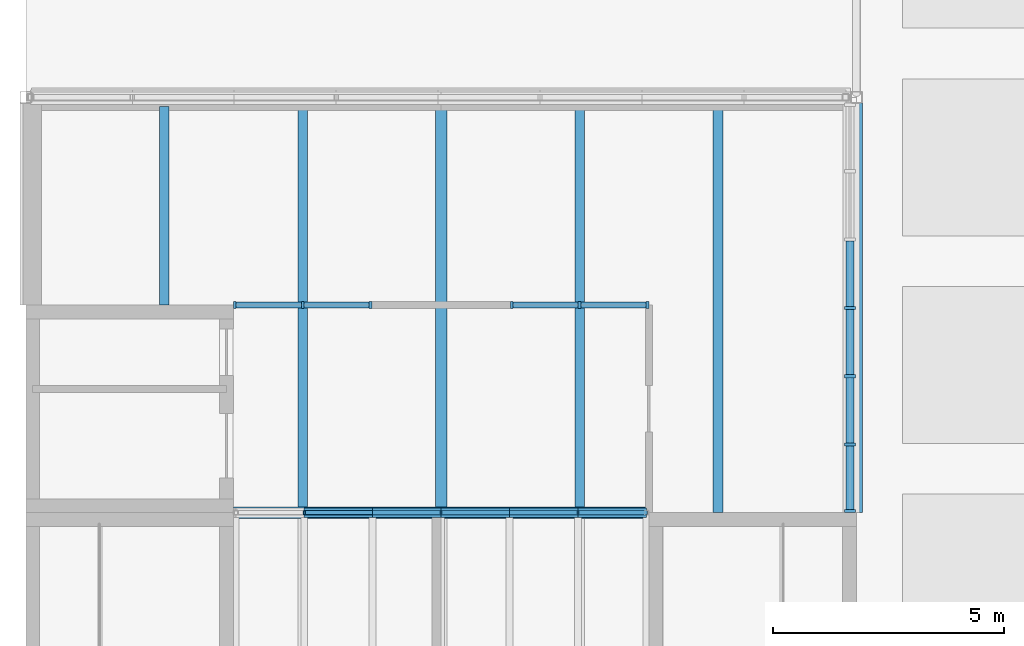
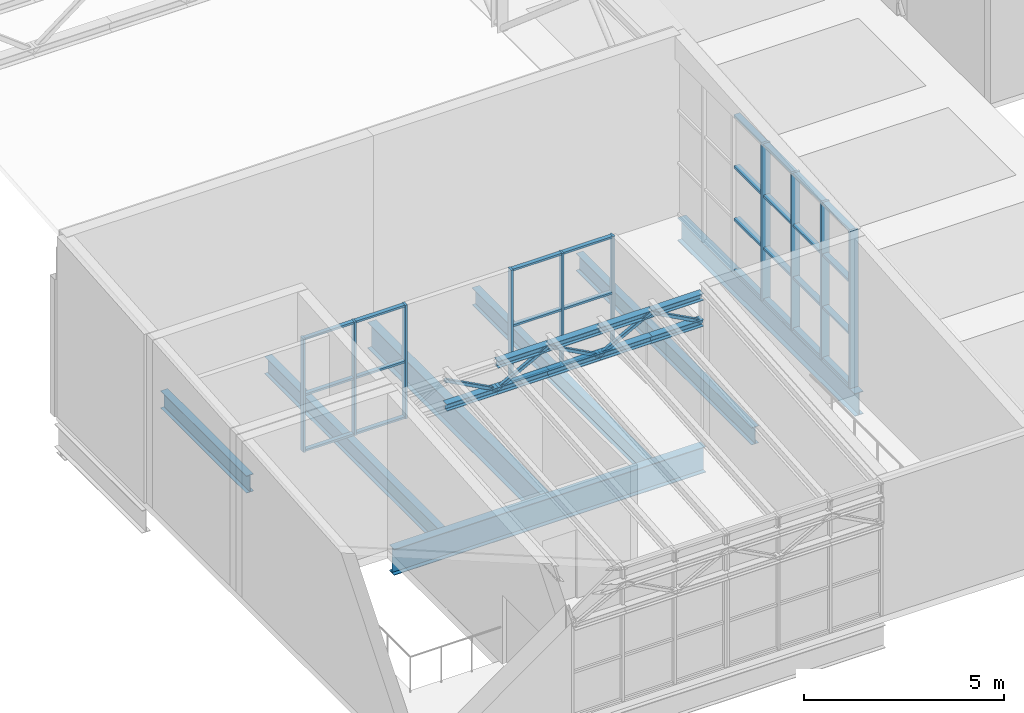
# One storey, part 9 of 61: 52 members, 7 beams, 3 elements without a shape of their own.
"""IFC4 building model written with IfcOpenShell, lengths in metres."""

from ifc_helpers import new_model, si_unit, direction, frame, origin, origin_2d, place, context, subcontext, project, spatial, rectangle, hollow_rectangle, i_section, extrude, material, layer, layer_set, material_profile, profile_set, type_object, element, aggregate, save


model = new_model("IFC4")

# Units and contexts
model_context = context("Model", 3, precision=1e-05, world=origin(), true_north=direction((0.0, 1.0)))
body_context = subcontext(model_context, "Body", "Model", "MODEL_VIEW")
ifc_project = project(units=[si_unit("LENGTHUNIT", "METRE"), si_unit("AREAUNIT", "SQUARE_METRE"), si_unit("VOLUMEUNIT", "CUBIC_METRE"), si_unit("PLANEANGLEUNIT", "RADIAN"), si_unit("MASSUNIT", "GRAM", prefix="KILO")], contexts=[model_context])

# Site, building, storey
site_placement = place(None, origin())
site = spatial("IfcSite", under=ifc_project, at=site_placement, CompositionType="ELEMENT")
building_placement = place(site_placement, origin())
building = spatial("IfcBuilding", under=site, at=building_placement, Name="Halyard Row Museum", CompositionType="ELEMENT")
storey_placement = place(building_placement, frame((0.0, 0.0, 9.199951171875)))
storey = spatial("IfcBuildingStorey", under=building, at=storey_placement, Name="L02", CompositionType="ELEMENT", Elevation=9.199951171875)

# Curtain wall, members
ifc_material_1 = material(Name="Acoustic laminated double glazed unit", Category="glass")
ifc_layer_1 = layer(ifc_material_1, 0.239990234375)
ifc_layer_set_1 = layer_set([ifc_layer_1], Name="Acoustic laminated double glazed unit")
curtain_wall_type_1 = type_object("IfcCurtainWallType", Name="Curtain wall foyer 240 deep", PredefinedType="NOTDEFINED", material=ifc_layer_set_1)
curtain_wall_1_placement = place(storey_placement, origin())
curtain_wall_1 = element("IfcCurtainWall", 1, at=curtain_wall_1_placement, inside=storey, type_object=curtain_wall_type_1, Name="Curtain wall CW043", PredefinedType="NOTDEFINED")
ifc_material_2 = material(Name="Powder-coated aluminium section", Category="aluminium")
ifc_material_profile_1 = material_profile(ifc_material_2, rectangle(XDim=0.239990234375, YDim=0.070068359375, at=origin_2d()), Name="240x70 mullion")
ifc_profile_set_1 = profile_set([ifc_material_profile_1], Name="Powder-coated aluminium section")
member_type_1 = type_object("IfcMemberType", Name="Curtain wall mullion CM4 70 x 240", PredefinedType="MULLION", material=ifc_profile_set_1)
member_1_placement = place(storey_placement, frame((17.860107421875, 9.034912109375, 0.0), z_axis=(0.0, 0.0, 1.0), x_axis=(-1.0, 0.0, 0.0)))
member_1 = element("IfcMember", 2, at=member_1_placement, type_object=member_type_1, Name="CW043 mullion 1", PredefinedType="MULLION", context=body_context, shape_type="SweptSolid", body=[
    extrude(rectangle(XDim=0.239990234375, YDim=0.070068359375, at=origin_2d()), origin(), (0.0, 0.0, 1.0), 4.800048828125),
])
member_2_placement = place(storey_placement, frame((17.860107421875, 10.479248046875, 0.0), z_axis=(0.0, 0.0, 1.0), x_axis=(-1.0, 0.0, 0.0)))
member_2 = element("IfcMember", 3, at=member_2_placement, type_object=member_type_1, Name="CW043 mullion 2", PredefinedType="MULLION", context=body_context, shape_type="SweptSolid", body=[
    extrude(rectangle(XDim=0.239990234375, YDim=0.070068359375, at=origin_2d()), origin(), (0.0, 0.0, 1.0), 4.800048828125),
])
member_3_placement = place(storey_placement, frame((17.860107421875, 11.958251953125, 0.0), z_axis=(0.0, 0.0, 1.0), x_axis=(-1.0, 0.0, 0.0)))
member_3 = element("IfcMember", 4, at=member_3_placement, type_object=member_type_1, Name="CW043 mullion 3", PredefinedType="MULLION", context=body_context, shape_type="SweptSolid", body=[
    extrude(rectangle(XDim=0.239990234375, YDim=0.070068359375, at=origin_2d()), origin(), (0.0, 0.0, 1.0), 4.800048828125),
])
member_4_placement = place(storey_placement, frame((17.860107421875, 13.4375, 0.0), z_axis=(0.0, 0.0, 1.0), x_axis=(-1.0, 0.0, 0.0)))
member_4 = element("IfcMember", 5, at=member_4_placement, type_object=member_type_1, Name="CW043 mullion 4", PredefinedType="MULLION", context=body_context, shape_type="SweptSolid", body=[
    extrude(rectangle(XDim=0.239990234375, YDim=0.070068359375, at=origin_2d()), origin(), (0.0, 0.0, 1.0), 4.800048828125),
])

ifc_material_3 = material(Name="Fire-resisting laminated glazing", Category="glass")
ifc_layer_2 = layer(ifc_material_3, 0.159912109375)
ifc_layer_set_2 = layer_set([ifc_layer_2], Name="Fire-resisting laminated glazing")
curtain_wall_type_2 = type_object("IfcCurtainWallType", Name="Curtain wall atrium screen 160 deep", PredefinedType="NOTDEFINED", material=ifc_layer_set_2)
curtain_wall_2_placement = place(storey_placement, origin())
curtain_wall_2 = element("IfcCurtainWall", 6, at=curtain_wall_2_placement, inside=storey, type_object=curtain_wall_type_2, Name="Curtain wall CW160", PredefinedType="NOTDEFINED")
ifc_material_4 = material(Name="Powder-coated aluminium section", Category="aluminium")
ifc_material_profile_2 = material_profile(ifc_material_4, rectangle(XDim=0.159912109375, YDim=0.06005859375, at=origin_2d()), Name="160x60 mullion")
ifc_profile_set_2 = profile_set([ifc_material_profile_2], Name="Powder-coated aluminium section")
member_type_2 = type_object("IfcMemberType", Name="Curtain wall mullion CM5 60 x 160", PredefinedType="MULLION", material=ifc_profile_set_2)
member_5_placement = place(storey_placement, frame((4.530029296875, 13.5, 0.0), z_axis=(0.0, 0.0, 1.0), x_axis=(0.0, 1.0, 0.0)))
member_5 = element("IfcMember", 7, at=member_5_placement, type_object=member_type_2, Name="CW160 mullion 1", PredefinedType="MULLION", context=body_context, shape_type="SweptSolid", body=[
    extrude(rectangle(XDim=0.159912109375, YDim=0.06005859375, at=origin_2d()), origin(), (0.0, 0.0, 1.0), 3.470703125),
])
member_6_placement = place(storey_placement, frame((6.0, 13.5, 0.0), z_axis=(0.0, 0.0, 1.0), x_axis=(0.0, 1.0, 0.0)))
member_6 = element("IfcMember", 8, at=member_6_placement, type_object=member_type_2, Name="CW160 mullion 2", PredefinedType="MULLION", context=body_context, shape_type="SweptSolid", body=[
    extrude(rectangle(XDim=0.159912109375, YDim=0.06005859375, at=origin_2d()), origin(), (0.0, 0.0, 1.0), 3.470703125),
])
member_7_placement = place(storey_placement, frame((7.469970703125, 13.5, 0.0), z_axis=(0.0, 0.0, 1.0), x_axis=(0.0, 1.0, 0.0)))
member_7 = element("IfcMember", 9, at=member_7_placement, type_object=member_type_2, Name="CW160 mullion 3", PredefinedType="MULLION", context=body_context, shape_type="SweptSolid", body=[
    extrude(rectangle(XDim=0.159912109375, YDim=0.06005859375, at=origin_2d()), origin(), (0.0, 0.0, 1.0), 3.470703125),
])

curtain_wall_3_placement = place(storey_placement, origin())
curtain_wall_3 = element("IfcCurtainWall", 10, at=curtain_wall_3_placement, inside=storey, type_object=curtain_wall_type_2, Name="Curtain wall CW161", PredefinedType="NOTDEFINED")
member_8_placement = place(storey_placement, frame((10.530029296875, 13.5, 0.0), z_axis=(0.0, 0.0, 1.0), x_axis=(0.0, 1.0, 0.0)))
member_8 = element("IfcMember", 11, at=member_8_placement, type_object=member_type_2, Name="CW161 mullion 1", PredefinedType="MULLION", context=body_context, shape_type="SweptSolid", body=[
    extrude(rectangle(XDim=0.159912109375, YDim=0.06005859375, at=origin_2d()), origin(), (0.0, 0.0, 1.0), 3.470703125),
])
member_9_placement = place(storey_placement, frame((12.0, 13.5, 0.0), z_axis=(0.0, 0.0, 1.0), x_axis=(0.0, 1.0, 0.0)))
member_9 = element("IfcMember", 12, at=member_9_placement, type_object=member_type_2, Name="CW161 mullion 2", PredefinedType="MULLION", context=body_context, shape_type="SweptSolid", body=[
    extrude(rectangle(XDim=0.159912109375, YDim=0.06005859375, at=origin_2d()), origin(), (0.0, 0.0, 1.0), 3.470703125),
])
member_10_placement = place(storey_placement, frame((13.469970703125, 13.5, 0.0), z_axis=(0.0, 0.0, 1.0), x_axis=(0.0, 1.0, 0.0)))
member_10 = element("IfcMember", 13, at=member_10_placement, type_object=member_type_2, Name="CW161 mullion 3", PredefinedType="MULLION", context=body_context, shape_type="SweptSolid", body=[
    extrude(rectangle(XDim=0.159912109375, YDim=0.06005859375, at=origin_2d()), origin(), (0.0, 0.0, 1.0), 3.470703125),
])

# Member
ifc_material_5 = material(Name="Powder-coated aluminium section", Category="aluminium")
ifc_material_profile_3 = material_profile(ifc_material_5, rectangle(XDim=0.169921875, YDim=0.070068359375, at=origin_2d()), Name="170x70 transom")
ifc_profile_set_3 = profile_set([ifc_material_profile_3], Name="Powder-coated aluminium section")
member_type_3 = type_object("IfcMemberType", Name="Curtain wall transom CT4 70 x 170", PredefinedType="USERDEFINED", material=ifc_profile_set_3)
member_11_placement = place(storey_placement, frame((17.860107421875, 9.070068359375, 0.03515625), z_axis=(0.0, 1.0, 0.0), x_axis=(-1.0, 0.0, 0.0)))
member_11 = element("IfcMember", 14, at=member_11_placement, type_object=member_type_3, Name="CW043 transom 1.1", ObjectType="TRANSOM", PredefinedType="USERDEFINED", context=body_context, shape_type="SweptSolid", body=[
    extrude(rectangle(XDim=0.169921875, YDim=0.070068359375, at=origin_2d()), origin(), (0.0, 0.0, 1.0), 1.3740234375),
])

member_12_placement = place(storey_placement, frame((17.860107421875, 9.070068359375, 1.60009765625), z_axis=(0.0, 1.0, 0.0), x_axis=(-1.0, 0.0, 0.0)))
member_12 = element("IfcMember", 15, at=member_12_placement, type_object=member_type_3, Name="CW043 transom 1.2", ObjectType="TRANSOM", PredefinedType="USERDEFINED", context=body_context, shape_type="SweptSolid", body=[
    extrude(rectangle(XDim=0.169921875, YDim=0.070068359375, at=origin_2d()), origin(), (0.0, 0.0, 1.0), 1.3740234375),
])

member_13_placement = place(storey_placement, frame((17.860107421875, 9.070068359375, 3.199951171875), z_axis=(0.0, 1.0, 0.0), x_axis=(-1.0, 0.0, 0.0)))
member_13 = element("IfcMember", 16, at=member_13_placement, type_object=member_type_3, Name="CW043 transom 1.3", ObjectType="TRANSOM", PredefinedType="USERDEFINED", context=body_context, shape_type="SweptSolid", body=[
    extrude(rectangle(XDim=0.169921875, YDim=0.070068359375, at=origin_2d()), origin(), (0.0, 0.0, 1.0), 1.3740234375),
])

member_14_placement = place(storey_placement, frame((17.860107421875, 9.070068359375, 4.76513671875), z_axis=(0.0, 1.0, 0.0), x_axis=(-1.0, 0.0, 0.0)))
member_14 = element("IfcMember", 17, at=member_14_placement, type_object=member_type_3, Name="CW043 transom 1.4", ObjectType="TRANSOM", PredefinedType="USERDEFINED", context=body_context, shape_type="SweptSolid", body=[
    extrude(rectangle(XDim=0.169921875, YDim=0.070068359375, at=origin_2d()), origin(), (0.0, 0.0, 1.0), 1.3740234375),
])

member_15_placement = place(storey_placement, frame((17.860107421875, 10.51416015625, 0.03515625), z_axis=(0.0, 1.0, 0.0), x_axis=(-1.0, 0.0, 0.0)))
member_15 = element("IfcMember", 18, at=member_15_placement, type_object=member_type_3, Name="CW043 transom 2.1", ObjectType="TRANSOM", PredefinedType="USERDEFINED", context=body_context, shape_type="SweptSolid", body=[
    extrude(rectangle(XDim=0.169921875, YDim=0.070068359375, at=origin_2d()), origin(), (0.0, 0.0, 1.0), 1.4091796875),
])

member_16_placement = place(storey_placement, frame((17.860107421875, 10.51416015625, 1.60009765625), z_axis=(0.0, 1.0, 0.0), x_axis=(-1.0, 0.0, 0.0)))
member_16 = element("IfcMember", 19, at=member_16_placement, type_object=member_type_3, Name="CW043 transom 2.2", ObjectType="TRANSOM", PredefinedType="USERDEFINED", context=body_context, shape_type="SweptSolid", body=[
    extrude(rectangle(XDim=0.169921875, YDim=0.070068359375, at=origin_2d()), origin(), (0.0, 0.0, 1.0), 1.4091796875),
])

member_17_placement = place(storey_placement, frame((17.860107421875, 10.51416015625, 3.199951171875), z_axis=(0.0, 1.0, 0.0), x_axis=(-1.0, 0.0, 0.0)))
member_17 = element("IfcMember", 20, at=member_17_placement, type_object=member_type_3, Name="CW043 transom 2.3", ObjectType="TRANSOM", PredefinedType="USERDEFINED", context=body_context, shape_type="SweptSolid", body=[
    extrude(rectangle(XDim=0.169921875, YDim=0.070068359375, at=origin_2d()), origin(), (0.0, 0.0, 1.0), 1.4091796875),
])

member_18_placement = place(storey_placement, frame((17.860107421875, 10.51416015625, 4.76513671875), z_axis=(0.0, 1.0, 0.0), x_axis=(-1.0, 0.0, 0.0)))
member_18 = element("IfcMember", 21, at=member_18_placement, type_object=member_type_3, Name="CW043 transom 2.4", ObjectType="TRANSOM", PredefinedType="USERDEFINED", context=body_context, shape_type="SweptSolid", body=[
    extrude(rectangle(XDim=0.169921875, YDim=0.070068359375, at=origin_2d()), origin(), (0.0, 0.0, 1.0), 1.4091796875),
])

member_19_placement = place(storey_placement, frame((17.860107421875, 11.993408203125, 0.03515625), z_axis=(0.0, 1.0, 0.0), x_axis=(-1.0, 0.0, 0.0)))
member_19 = element("IfcMember", 22, at=member_19_placement, type_object=member_type_3, Name="CW043 transom 3.1", ObjectType="TRANSOM", PredefinedType="USERDEFINED", context=body_context, shape_type="SweptSolid", body=[
    extrude(rectangle(XDim=0.169921875, YDim=0.070068359375, at=origin_2d()), origin(), (0.0, 0.0, 1.0), 1.4091796875),
])

member_20_placement = place(storey_placement, frame((17.860107421875, 11.993408203125, 1.60009765625), z_axis=(0.0, 1.0, 0.0), x_axis=(-1.0, 0.0, 0.0)))
member_20 = element("IfcMember", 23, at=member_20_placement, type_object=member_type_3, Name="CW043 transom 3.2", ObjectType="TRANSOM", PredefinedType="USERDEFINED", context=body_context, shape_type="SweptSolid", body=[
    extrude(rectangle(XDim=0.169921875, YDim=0.070068359375, at=origin_2d()), origin(), (0.0, 0.0, 1.0), 1.4091796875),
])

member_21_placement = place(storey_placement, frame((17.860107421875, 11.993408203125, 3.199951171875), z_axis=(0.0, 1.0, 0.0), x_axis=(-1.0, 0.0, 0.0)))
member_21 = element("IfcMember", 24, at=member_21_placement, type_object=member_type_3, Name="CW043 transom 3.3", ObjectType="TRANSOM", PredefinedType="USERDEFINED", context=body_context, shape_type="SweptSolid", body=[
    extrude(rectangle(XDim=0.169921875, YDim=0.070068359375, at=origin_2d()), origin(), (0.0, 0.0, 1.0), 1.4091796875),
])

member_22_placement = place(storey_placement, frame((17.860107421875, 11.993408203125, 4.76513671875), z_axis=(0.0, 1.0, 0.0), x_axis=(-1.0, 0.0, 0.0)))
member_22 = element("IfcMember", 25, at=member_22_placement, type_object=member_type_3, Name="CW043 transom 3.4", ObjectType="TRANSOM", PredefinedType="USERDEFINED", context=body_context, shape_type="SweptSolid", body=[
    extrude(rectangle(XDim=0.169921875, YDim=0.070068359375, at=origin_2d()), origin(), (0.0, 0.0, 1.0), 1.4091796875),
])

member_23_placement = place(storey_placement, frame((17.860107421875, 13.472412109375, 0.03515625), z_axis=(0.0, 1.0, 0.0), x_axis=(-1.0, 0.0, 0.0)))
member_23 = element("IfcMember", 26, at=member_23_placement, type_object=member_type_3, Name="CW043 transom 4.1", ObjectType="TRANSOM", PredefinedType="USERDEFINED", context=body_context, shape_type="SweptSolid", body=[
    extrude(rectangle(XDim=0.169921875, YDim=0.070068359375, at=origin_2d()), origin(), (0.0, 0.0, 1.0), 1.4091796875),
])

member_24_placement = place(storey_placement, frame((17.860107421875, 13.472412109375, 1.60009765625), z_axis=(0.0, 1.0, 0.0), x_axis=(-1.0, 0.0, 0.0)))
member_24 = element("IfcMember", 27, at=member_24_placement, type_object=member_type_3, Name="CW043 transom 4.2", ObjectType="TRANSOM", PredefinedType="USERDEFINED", context=body_context, shape_type="SweptSolid", body=[
    extrude(rectangle(XDim=0.169921875, YDim=0.070068359375, at=origin_2d()), origin(), (0.0, 0.0, 1.0), 1.4091796875),
])

member_25_placement = place(storey_placement, frame((17.860107421875, 13.472412109375, 3.199951171875), z_axis=(0.0, 1.0, 0.0), x_axis=(-1.0, 0.0, 0.0)))
member_25 = element("IfcMember", 28, at=member_25_placement, type_object=member_type_3, Name="CW043 transom 4.3", ObjectType="TRANSOM", PredefinedType="USERDEFINED", context=body_context, shape_type="SweptSolid", body=[
    extrude(rectangle(XDim=0.169921875, YDim=0.070068359375, at=origin_2d()), origin(), (0.0, 0.0, 1.0), 1.4091796875),
])

member_26_placement = place(storey_placement, frame((17.860107421875, 13.472412109375, 4.76513671875), z_axis=(0.0, 1.0, 0.0), x_axis=(-1.0, 0.0, 0.0)))
member_26 = element("IfcMember", 29, at=member_26_placement, type_object=member_type_3, Name="CW043 transom 4.4", ObjectType="TRANSOM", PredefinedType="USERDEFINED", context=body_context, shape_type="SweptSolid", body=[
    extrude(rectangle(XDim=0.169921875, YDim=0.070068359375, at=origin_2d()), origin(), (0.0, 0.0, 1.0), 1.4091796875),
])

aggregate(curtain_wall_1, [member_1, member_2, member_3, member_4, member_11, member_12, member_13, member_14, member_15, member_16, member_17, member_18, member_19, member_20, member_21, member_22, member_23, member_24, member_25, member_26])

ifc_material_6 = material(Name="Powder-coated aluminium section", Category="aluminium")
ifc_material_profile_4 = material_profile(ifc_material_6, rectangle(XDim=0.1201171875, YDim=0.06005859375, at=origin_2d()), Name="120x60 transom")
ifc_profile_set_4 = profile_set([ifc_material_profile_4], Name="Powder-coated aluminium section")
member_type_4 = type_object("IfcMemberType", Name="Curtain wall transom CT5 60 x 120", PredefinedType="USERDEFINED", material=ifc_profile_set_4)
member_27_placement = place(storey_placement, frame((4.56005859375, 13.5, 0.030029296875), z_axis=(1.0, 0.0, 0.0), x_axis=(0.0, 1.0, 0.0)))
member_27 = element("IfcMember", 30, at=member_27_placement, type_object=member_type_4, Name="CW160 transom 1.1", ObjectType="TRANSOM", PredefinedType="USERDEFINED", context=body_context, shape_type="SweptSolid", body=[
    extrude(rectangle(XDim=0.1201171875, YDim=0.06005859375, at=origin_2d()), origin(), (0.0, 0.0, 1.0), 1.409912109375),
])

member_28_placement = place(storey_placement, frame((4.56005859375, 13.5, 1.7353515625), z_axis=(1.0, 0.0, 0.0), x_axis=(0.0, 1.0, 0.0)))
member_28 = element("IfcMember", 31, at=member_28_placement, type_object=member_type_4, Name="CW160 transom 1.2", ObjectType="TRANSOM", PredefinedType="USERDEFINED", context=body_context, shape_type="SweptSolid", body=[
    extrude(rectangle(XDim=0.1201171875, YDim=0.06005859375, at=origin_2d()), origin(), (0.0, 0.0, 1.0), 1.409912109375),
])

member_29_placement = place(storey_placement, frame((4.56005859375, 13.5, 3.440673828125), z_axis=(1.0, 0.0, 0.0), x_axis=(0.0, 1.0, 0.0)))
member_29 = element("IfcMember", 32, at=member_29_placement, type_object=member_type_4, Name="CW160 transom 1.3", ObjectType="TRANSOM", PredefinedType="USERDEFINED", context=body_context, shape_type="SweptSolid", body=[
    extrude(rectangle(XDim=0.1201171875, YDim=0.06005859375, at=origin_2d()), origin(), (0.0, 0.0, 1.0), 1.409912109375),
])

member_30_placement = place(storey_placement, frame((6.030029296875, 13.5, 0.030029296875), z_axis=(1.0, 0.0, 0.0), x_axis=(0.0, 1.0, 0.0)))
member_30 = element("IfcMember", 33, at=member_30_placement, type_object=member_type_4, Name="CW160 transom 2.1", ObjectType="TRANSOM", PredefinedType="USERDEFINED", context=body_context, shape_type="SweptSolid", body=[
    extrude(rectangle(XDim=0.1201171875, YDim=0.06005859375, at=origin_2d()), origin(), (0.0, 0.0, 1.0), 1.409912109375),
])

member_31_placement = place(storey_placement, frame((6.030029296875, 13.5, 1.7353515625), z_axis=(1.0, 0.0, 0.0), x_axis=(0.0, 1.0, 0.0)))
member_31 = element("IfcMember", 34, at=member_31_placement, type_object=member_type_4, Name="CW160 transom 2.2", ObjectType="TRANSOM", PredefinedType="USERDEFINED", context=body_context, shape_type="SweptSolid", body=[
    extrude(rectangle(XDim=0.1201171875, YDim=0.06005859375, at=origin_2d()), origin(), (0.0, 0.0, 1.0), 1.409912109375),
])

member_32_placement = place(storey_placement, frame((6.030029296875, 13.5, 3.440673828125), z_axis=(1.0, 0.0, 0.0), x_axis=(0.0, 1.0, 0.0)))
member_32 = element("IfcMember", 35, at=member_32_placement, type_object=member_type_4, Name="CW160 transom 2.3", ObjectType="TRANSOM", PredefinedType="USERDEFINED", context=body_context, shape_type="SweptSolid", body=[
    extrude(rectangle(XDim=0.1201171875, YDim=0.06005859375, at=origin_2d()), origin(), (0.0, 0.0, 1.0), 1.409912109375),
])

aggregate(curtain_wall_2, [member_5, member_6, member_7, member_27, member_28, member_29, member_30, member_31, member_32])

member_33_placement = place(storey_placement, frame((10.56005859375, 13.5, 0.030029296875), z_axis=(1.0, 0.0, 0.0), x_axis=(0.0, 1.0, 0.0)))
member_33 = element("IfcMember", 36, at=member_33_placement, type_object=member_type_4, Name="CW161 transom 1.1", ObjectType="TRANSOM", PredefinedType="USERDEFINED", context=body_context, shape_type="SweptSolid", body=[
    extrude(rectangle(XDim=0.1201171875, YDim=0.06005859375, at=origin_2d()), origin(), (0.0, 0.0, 1.0), 1.409912109375),
])

member_34_placement = place(storey_placement, frame((10.56005859375, 13.5, 1.7353515625), z_axis=(1.0, 0.0, 0.0), x_axis=(0.0, 1.0, 0.0)))
member_34 = element("IfcMember", 37, at=member_34_placement, type_object=member_type_4, Name="CW161 transom 1.2", ObjectType="TRANSOM", PredefinedType="USERDEFINED", context=body_context, shape_type="SweptSolid", body=[
    extrude(rectangle(XDim=0.1201171875, YDim=0.06005859375, at=origin_2d()), origin(), (0.0, 0.0, 1.0), 1.409912109375),
])

member_35_placement = place(storey_placement, frame((10.56005859375, 13.5, 3.440673828125), z_axis=(1.0, 0.0, 0.0), x_axis=(0.0, 1.0, 0.0)))
member_35 = element("IfcMember", 38, at=member_35_placement, type_object=member_type_4, Name="CW161 transom 1.3", ObjectType="TRANSOM", PredefinedType="USERDEFINED", context=body_context, shape_type="SweptSolid", body=[
    extrude(rectangle(XDim=0.1201171875, YDim=0.06005859375, at=origin_2d()), origin(), (0.0, 0.0, 1.0), 1.409912109375),
])

member_36_placement = place(storey_placement, frame((12.030029296875, 13.5, 0.030029296875), z_axis=(1.0, 0.0, 0.0), x_axis=(0.0, 1.0, 0.0)))
member_36 = element("IfcMember", 39, at=member_36_placement, type_object=member_type_4, Name="CW161 transom 2.1", ObjectType="TRANSOM", PredefinedType="USERDEFINED", context=body_context, shape_type="SweptSolid", body=[
    extrude(rectangle(XDim=0.1201171875, YDim=0.06005859375, at=origin_2d()), origin(), (0.0, 0.0, 1.0), 1.409912109375),
])

member_37_placement = place(storey_placement, frame((12.030029296875, 13.5, 1.7353515625), z_axis=(1.0, 0.0, 0.0), x_axis=(0.0, 1.0, 0.0)))
member_37 = element("IfcMember", 40, at=member_37_placement, type_object=member_type_4, Name="CW161 transom 2.2", ObjectType="TRANSOM", PredefinedType="USERDEFINED", context=body_context, shape_type="SweptSolid", body=[
    extrude(rectangle(XDim=0.1201171875, YDim=0.06005859375, at=origin_2d()), origin(), (0.0, 0.0, 1.0), 1.409912109375),
])

member_38_placement = place(storey_placement, frame((12.030029296875, 13.5, 3.440673828125), z_axis=(1.0, 0.0, 0.0), x_axis=(0.0, 1.0, 0.0)))
member_38 = element("IfcMember", 41, at=member_38_placement, type_object=member_type_4, Name="CW161 transom 2.3", ObjectType="TRANSOM", PredefinedType="USERDEFINED", context=body_context, shape_type="SweptSolid", body=[
    extrude(rectangle(XDim=0.1201171875, YDim=0.06005859375, at=origin_2d()), origin(), (0.0, 0.0, 1.0), 1.409912109375),
])

aggregate(curtain_wall_3, [member_8, member_9, member_10, member_33, member_34, member_35, member_36, member_37, member_38])

# Beams
ifc_material_7 = material(Name="Steel Grade 300", Category="steel")
ifc_material_profile_5 = material_profile(ifc_material_7, i_section(OverallWidth=0.25, OverallDepth=0.699951171875, WebThickness=0.010009765625, FlangeThickness=0.02001953125, at=origin_2d()), Name="700WB130")
ifc_profile_set_5 = profile_set([ifc_material_profile_5], Name="Steel Grade 300")
beam_type_1 = type_object("IfcBeamType", Name="Edge beam 700WB130 (lowered 35)", PredefinedType="BEAM", material=ifc_profile_set_5)
beam_1_placement = place(storey_placement, frame((18.0, 9.0, -0.550048828125), z_axis=(0.0, 1.0, 0.0), x_axis=(-1.0, 0.0, 0.0)))
element("IfcBeam", 42, at=beam_1_placement, inside=storey, type_object=beam_type_1, Name="Beam L02-048", PredefinedType="BEAM", context=body_context, shape_type="SweptSolid", body=[
    extrude(i_section(OverallWidth=0.25, OverallDepth=0.699951171875, WebThickness=0.010009765625, FlangeThickness=0.02001953125, at=origin_2d()), origin(), (0.0, 0.0, 1.0), 8.875),
])
ifc_material_8 = material(Name="Steel Grade 300", Category="steel")
ifc_material_profile_6 = material_profile(ifc_material_8, i_section(OverallWidth=0.25, OverallDepth=0.7919921875, WebThickness=0.010009765625, FlangeThickness=0.01611328125, at=origin_2d()), Name="800WB122")
ifc_profile_set_6 = profile_set([ifc_material_profile_6], Name="Steel Grade 300")
beam_type_2 = type_object("IfcBeamType", Name="Girder beam 800WB122 (lowered 35)", PredefinedType="BEAM", material=ifc_profile_set_6)
beam_2_placement = place(storey_placement, frame((4.5, 9.0, -0.595947265625), z_axis=(1.0, 0.0, 0.0), x_axis=(0.0, 1.0, 0.0)))
element("IfcBeam", 43, at=beam_2_placement, inside=storey, type_object=beam_type_2, Name="Beam L02-006", PredefinedType="BEAM", context=body_context, shape_type="SweptSolid", body=[
    extrude(i_section(OverallWidth=0.25, OverallDepth=0.7919921875, WebThickness=0.010009765625, FlangeThickness=0.01611328125, at=origin_2d()), origin(), (0.0, 0.0, 1.0), 9.0),
])
beam_3_placement = place(storey_placement, frame((9.0, 9.125, -0.595947265625), z_axis=(0.0, 1.0, 0.0), x_axis=(-1.0, 0.0, 0.0)))
element("IfcBeam", 44, at=beam_3_placement, inside=storey, type_object=beam_type_2, Name="Beam L02-047", PredefinedType="BEAM", context=body_context, shape_type="SweptSolid", body=[
    extrude(i_section(OverallWidth=0.25, OverallDepth=0.7919921875, WebThickness=0.010009765625, FlangeThickness=0.01611328125, at=origin_2d()), origin(), (0.0, 0.0, 1.0), 8.675048828125),
])
ifc_material_9 = material(Name="Steel Grade 300", Category="steel")
ifc_material_profile_7 = material_profile(ifc_material_9, i_section(OverallWidth=0.208984375, OverallDepth=0.5283203125, WebThickness=0.009521484375, FlangeThickness=0.01318359375, FilletRadius=0.013916015625, at=origin_2d()), Name="530UB82.0")
ifc_profile_set_7 = profile_set([ifc_material_profile_7], Name="Steel Grade 300")
beam_type_3 = type_object("IfcBeamType", Name="Secondary beam 530UB82.0 (lowered 35)", PredefinedType="BEAM", material=ifc_profile_set_7)
beam_4_placement = place(storey_placement, frame((15.0, 9.0, -0.464111328125), z_axis=(0.0, 1.0, 0.0), x_axis=(-1.0, 0.0, 0.0)))
element("IfcBeam", 45, at=beam_4_placement, inside=storey, type_object=beam_type_3, Name="Beam L02-095", PredefinedType="BEAM", context=body_context, shape_type="SweptSolid", body=[
    extrude(i_section(OverallWidth=0.208984375, OverallDepth=0.5283203125, WebThickness=0.009521484375, FlangeThickness=0.01318359375, FilletRadius=0.013916015625, at=origin_2d()), origin(), (0.0, 0.0, 1.0), 8.800048828125),
])
for number, where, z_axis, x_axis, name in (
    (46, (6.0, 9.125, -0.464111328125), (0.0, 1.0, 0.0), (-1.0, 0.0, 0.0), "Beam L02-100"),
    (47, (12.0, 9.125, -0.464111328125), (0.0, 1.0, 0.0), (-1.0, 0.0, 0.0), "Beam L02-101"),
):
    element("IfcBeam", number, at=place(storey_placement, frame(where, z_axis=z_axis, x_axis=x_axis)), inside=storey, type_object=beam_type_3, Name=name, PredefinedType="BEAM", context=body_context, shape_type="SweptSolid", body=[
        extrude(i_section(OverallWidth=0.208984375, OverallDepth=0.5283203125, WebThickness=0.009521484375, FlangeThickness=0.01318359375, FilletRadius=0.013916015625, at=origin_2d()), origin(), (0.0, 0.0, 1.0), 8.675048828125),
    ])
beam_5_placement = place(storey_placement, frame((3.0, 13.5, -0.464111328125), z_axis=(0.0, 1.0, 0.0), x_axis=(-1.0, 0.0, 0.0)))
element("IfcBeam", 48, at=beam_5_placement, inside=storey, type_object=beam_type_3, Name="Beam L02-102", PredefinedType="BEAM", context=body_context, shape_type="SweptSolid", body=[
    extrude(i_section(OverallWidth=0.208984375, OverallDepth=0.5283203125, WebThickness=0.009521484375, FlangeThickness=0.01318359375, FilletRadius=0.013916015625, at=origin_2d()), origin(), (0.0, 0.0, 1.0), 4.300048828125),
])

# Members
ifc_material_10 = material(Name="Steel Grade 300", Category="steel")
ifc_material_profile_8 = material_profile(ifc_material_10, i_section(OverallWidth=0.2041015625, OverallDepth=0.206298828125, WebThickness=0.008056640625, FlangeThickness=0.012451171875, FilletRadius=0.011474609375, at=origin_2d()), Name="200UC52.2")
ifc_profile_set_8 = profile_set([ifc_material_profile_8], Name="Steel Grade 300")
member_type_5 = type_object("IfcMemberType", Name="Truss chord 200UC52.2 bottom foyer", PredefinedType="CHORD", material=ifc_profile_set_8)
member_39_placement = place(storey_placement, frame((6.033447265625, 9.0, 3.57373046875), z_axis=(1.0, 0.0, 0.0), x_axis=(0.0, 1.0, 0.0)))
element("IfcMember", 49, at=member_39_placement, inside=storey, type_object=member_type_5, Name="V3-RF2 bottom chord 2", PredefinedType="CHORD", context=body_context, shape_type="SweptSolid", body=[
    extrude(i_section(OverallWidth=0.2041015625, OverallDepth=0.206298828125, WebThickness=0.008056640625, FlangeThickness=0.012451171875, FilletRadius=0.011474609375, at=origin_2d()), origin(), (0.0, 0.0, 1.0), 1.483154296875),
])
for number, where, z_axis, x_axis, name in (
    (50, (7.5166015625, 9.0, 3.57373046875), (1.0, 0.0, 0.0), (0.0, 1.0, 0.0), "V3-RF2 bottom chord 3"),
    (51, (9.0, 9.0, 3.57373046875), (1.0, 0.0, 0.0), (0.0, 1.0, 0.0), "V3-RF2 bottom chord 4"),
):
    element("IfcMember", number, at=place(storey_placement, frame(where, z_axis=z_axis, x_axis=x_axis)), inside=storey, type_object=member_type_5, Name=name, PredefinedType="CHORD", context=body_context, shape_type="SweptSolid", body=[
        extrude(i_section(OverallWidth=0.2041015625, OverallDepth=0.206298828125, WebThickness=0.008056640625, FlangeThickness=0.012451171875, FilletRadius=0.011474609375, at=origin_2d()), origin(), (0.0, 0.0, 1.0), 1.4833984375),
    ])
member_40_placement = place(storey_placement, frame((10.4833984375, 9.0, 3.57373046875), z_axis=(1.0, 0.0, 0.0), x_axis=(0.0, 1.0, 0.0)))
element("IfcMember", 52, at=member_40_placement, inside=storey, type_object=member_type_5, Name="V3-RF2 bottom chord 5", PredefinedType="CHORD", context=body_context, shape_type="SweptSolid", body=[
    extrude(i_section(OverallWidth=0.2041015625, OverallDepth=0.206298828125, WebThickness=0.008056640625, FlangeThickness=0.012451171875, FilletRadius=0.011474609375, at=origin_2d()), origin(), (0.0, 0.0, 1.0), 1.483154296875),
])
member_41_placement = place(storey_placement, frame((11.966552734375, 9.0, 3.57373046875), z_axis=(1.0, 0.0, 0.0), x_axis=(0.0, 1.0, 0.0)))
element("IfcMember", 53, at=member_41_placement, inside=storey, type_object=member_type_5, Name="V3-RF2 bottom chord 6", PredefinedType="CHORD", context=body_context, shape_type="SweptSolid", body=[
    extrude(i_section(OverallWidth=0.2041015625, OverallDepth=0.206298828125, WebThickness=0.008056640625, FlangeThickness=0.012451171875, FilletRadius=0.011474609375, at=origin_2d()), origin(), (0.0, 0.0, 1.0), 1.4833984375),
])
ifc_material_11 = material(Name="Steel Grade 300", Category="steel")
ifc_material_profile_9 = material_profile(ifc_material_11, i_section(OverallWidth=0.2041015625, OverallDepth=0.206298828125, WebThickness=0.008056640625, FlangeThickness=0.012451171875, FilletRadius=0.011474609375, at=origin_2d()), Name="200UC52.2")
ifc_profile_set_9 = profile_set([ifc_material_profile_9], Name="Steel Grade 300")
member_type_6 = type_object("IfcMemberType", Name="Truss chord 200UC52.2 top foyer", PredefinedType="CHORD", material=ifc_profile_set_9)
for number, where, z_axis, x_axis, name in (
    (54, (7.5166015625, 9.0, 4.367431640625), (1.0, 0.0, 0.0), (0.0, 1.0, 0.0), "V3-RF2 top chord 3"),
    (55, (9.0, 9.0, 4.367431640625), (1.0, 0.0, 0.0), (0.0, 1.0, 0.0), "V3-RF2 top chord 4"),
):
    element("IfcMember", number, at=place(storey_placement, frame(where, z_axis=z_axis, x_axis=x_axis)), inside=storey, type_object=member_type_6, Name=name, PredefinedType="CHORD", context=body_context, shape_type="SweptSolid", body=[
        extrude(i_section(OverallWidth=0.2041015625, OverallDepth=0.206298828125, WebThickness=0.008056640625, FlangeThickness=0.012451171875, FilletRadius=0.011474609375, at=origin_2d()), origin(), (0.0, 0.0, 1.0), 1.4833984375),
    ])
member_42_placement = place(storey_placement, frame((10.4833984375, 9.0, 4.367431640625), z_axis=(1.0, 0.0, 0.0), x_axis=(0.0, 1.0, 0.0)))
element("IfcMember", 56, at=member_42_placement, inside=storey, type_object=member_type_6, Name="V3-RF2 top chord 5", PredefinedType="CHORD", context=body_context, shape_type="SweptSolid", body=[
    extrude(i_section(OverallWidth=0.2041015625, OverallDepth=0.206298828125, WebThickness=0.008056640625, FlangeThickness=0.012451171875, FilletRadius=0.011474609375, at=origin_2d()), origin(), (0.0, 0.0, 1.0), 1.483154296875),
])
member_43_placement = place(storey_placement, frame((11.966552734375, 9.0, 4.367431640625), z_axis=(1.0, 0.0, 0.0), x_axis=(0.0, 1.0, 0.0)))
element("IfcMember", 57, at=member_43_placement, inside=storey, type_object=member_type_6, Name="V3-RF2 top chord 6", PredefinedType="CHORD", context=body_context, shape_type="SweptSolid", body=[
    extrude(i_section(OverallWidth=0.2041015625, OverallDepth=0.206298828125, WebThickness=0.008056640625, FlangeThickness=0.012451171875, FilletRadius=0.011474609375, at=origin_2d()), origin(), (0.0, 0.0, 1.0), 1.4833984375),
])
ifc_material_12 = material(Name="Steel Grade C350L0", Category="steel")
ifc_material_profile_10 = material_profile(ifc_material_12, hollow_rectangle(XDim=0.10009765625, YDim=0.10009765625, WallThickness=0.006103515625, InnerFilletRadius=0.009033203125, OuterFilletRadius=0.014892578125, at=origin_2d()), Name="100x100x6.0SHS")
ifc_profile_set_10 = profile_set([ifc_material_profile_10], Name="Steel Grade C350L0")
member_type_7 = type_object("IfcMemberType", Name="Truss diagonal 100x100x6.0SHS", PredefinedType="BRACE", material=ifc_profile_set_10)
member_44_placement = place(storey_placement, frame((6.033447265625, 9.0, 4.367431640625), z_axis=(0.881689169879, 0.0, -0.471830698152), x_axis=(0.0, 1.0, 0.0)))
element("IfcMember", 58, at=member_44_placement, inside=storey, type_object=member_type_7, Name="V3-RF2 diagonal 2", PredefinedType="BRACE", context=body_context, shape_type="SweptSolid", body=[
    extrude(hollow_rectangle(XDim=0.10009765625, YDim=0.10009765625, WallThickness=0.006103515625, InnerFilletRadius=0.009033203125, OuterFilletRadius=0.014892578125, at=origin_2d()), origin(), (0.0, 0.0, 1.0), 1.68212890625),
])
for number, where, z_axis, x_axis, name in (
    (59, (7.5166015625, 9.0, 3.57373046875), (0.881721474024, 0.0, 0.471770327856), (0.0, 1.0, 0.0), "V3-RF2 diagonal 3"),
    (60, (9.0, 9.0, 4.367431640625), (0.881721474024, 0.0, -0.471770327856), (0.0, 1.0, 0.0), "V3-RF2 diagonal 4"),
):
    element("IfcMember", number, at=place(storey_placement, frame(where, z_axis=z_axis, x_axis=x_axis)), inside=storey, type_object=member_type_7, Name=name, PredefinedType="BRACE", context=body_context, shape_type="SweptSolid", body=[
        extrude(hollow_rectangle(XDim=0.10009765625, YDim=0.10009765625, WallThickness=0.006103515625, InnerFilletRadius=0.009033203125, OuterFilletRadius=0.014892578125, at=origin_2d()), origin(), (0.0, 0.0, 1.0), 1.682373046875),
    ])
member_45_placement = place(storey_placement, frame((10.4833984375, 9.0, 3.57373046875), z_axis=(0.881689169879, 0.0, 0.471830698152), x_axis=(0.0, 1.0, 0.0)))
element("IfcMember", 61, at=member_45_placement, inside=storey, type_object=member_type_7, Name="V3-RF2 diagonal 5", PredefinedType="BRACE", context=body_context, shape_type="SweptSolid", body=[
    extrude(hollow_rectangle(XDim=0.10009765625, YDim=0.10009765625, WallThickness=0.006103515625, InnerFilletRadius=0.009033203125, OuterFilletRadius=0.014892578125, at=origin_2d()), origin(), (0.0, 0.0, 1.0), 1.68212890625),
])
member_46_placement = place(storey_placement, frame((11.966552734375, 9.0, 4.367431640625), z_axis=(0.881721474024, 0.0, -0.471770327856), x_axis=(0.0, 1.0, 0.0)))
element("IfcMember", 62, at=member_46_placement, inside=storey, type_object=member_type_7, Name="V3-RF2 diagonal 6", PredefinedType="BRACE", context=body_context, shape_type="SweptSolid", body=[
    extrude(hollow_rectangle(XDim=0.10009765625, YDim=0.10009765625, WallThickness=0.006103515625, InnerFilletRadius=0.009033203125, OuterFilletRadius=0.014892578125, at=origin_2d()), origin(), (0.0, 0.0, 1.0), 1.682373046875),
])

save(model, "model.ifc")
